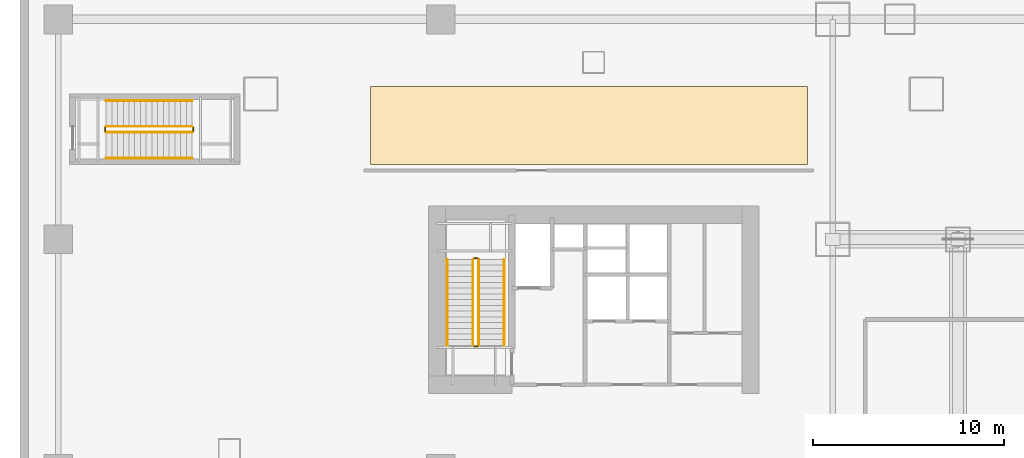
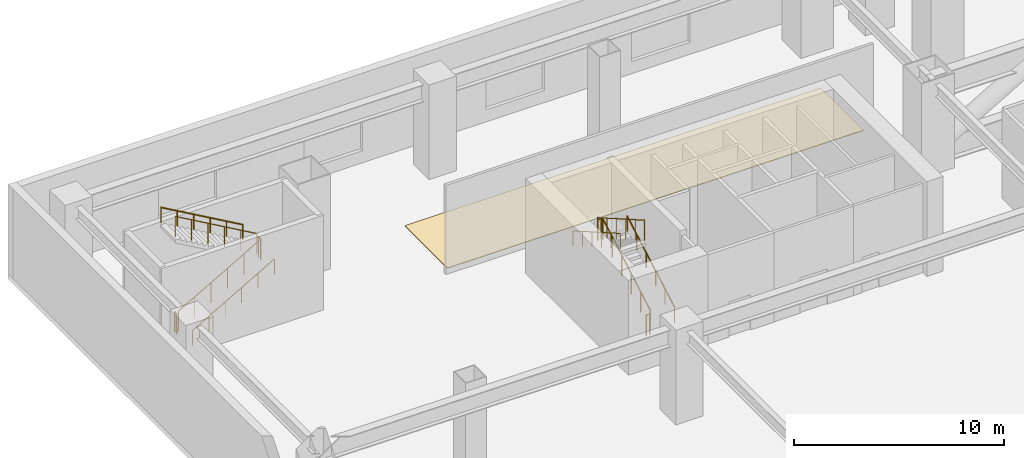
# One storey, part 32 of 34: 12 railings, 1 covering.
"""IFC4 building model written with IfcOpenShell, lengths in metres."""

from ifc_helpers import new_model, si_unit, direction, frame, origin, origin_2d, place, context, subcontext, project, spatial, polyline, circle, outline, extrude, material, layer, layer_set, type_object, element, save


model = new_model("IFC4")

# Units and contexts
model_context = context("Model", 3, precision=1e-05, world=origin(), true_north=direction((0.0, 1.0)))
body_context = subcontext(model_context, "Body", "Model", "MODEL_VIEW")
ifc_project = project(units=[si_unit("LENGTHUNIT", "METRE"), si_unit("AREAUNIT", "SQUARE_METRE"), si_unit("VOLUMEUNIT", "CUBIC_METRE"), si_unit("PLANEANGLEUNIT", "RADIAN"), si_unit("MASSUNIT", "GRAM", prefix="KILO")], contexts=[model_context])

# Site, building, storey
site_placement = place(None, origin())
site = spatial("IfcSite", under=ifc_project, at=site_placement, CompositionType="ELEMENT")
building_placement = place(site_placement, origin())
building = spatial("IfcBuilding", under=site, at=building_placement, Name="Qiaolan Cultural Towers", CompositionType="ELEMENT")
storey_placement = place(building_placement, frame((0.0, 0.0, 16.5)))
storey = spatial("IfcBuildingStorey", under=building, at=storey_placement, Name="L03", CompositionType="ELEMENT", Elevation=16.5)

# Covering
ifc_material_1 = material(Name="Honed Terrazzo & Raised Access Flooring", Category="concrete")
ifc_layer = layer(ifc_material_1, 0.0400390625)
ifc_layer_set = layer_set([ifc_layer], Name="Honed Terrazzo & Raised Access Flooring")
covering_type = type_object("IfcCoveringType", Name="COV-FLR-STONE", PredefinedType="FLOORING", material=ifc_layer_set)
covering_placement = place(storey_placement, origin())
element("IfcCovering", 1, at=covering_placement, inside=storey, type_object=covering_type, Name="L03 L03 North Design Archive Gallery Finish Flooring", PredefinedType="FLOORING", context=body_context, shape_type="SweptSolid", body=[
    extrude(outline(polyline([(41.179931640625, 57.919921875), (41.179931640625, 61.97998046875), (18.320068359375, 61.97998046875), (18.320068359375, 57.919921875), (41.179931640625, 57.919921875)])), origin(), (0.0, 0.0, 1.0), 0.0400390625),
])

# Railings
ifc_material_2 = material(Name="Galvanized Painted Steel Stair Guardrail", Category="steel")
railing_type_1 = type_object("IfcRailingType", Name="RL-STAIR-GRD", PredefinedType="GUARDRAIL", material=ifc_material_2)
railing_1_placement = place(storey_placement, frame((23.989990234375, 48.449951171875, 0.171875)))
element("IfcRailing", 2, at=railing_1_placement, inside=storey, type_object=railing_type_1, Name="L03 ST-W2 stair guard 1", PredefinedType="GUARDRAIL", context=body_context, shape_type="SweptSolid", body=[
    extrude(circle(Radius=0.02392578125, at=origin_2d()), frame((0.0, 0.0, 1.17578125), z_axis=(0.0, 0.867686387293, 0.49711199272), x_axis=(-1.0, 0.0, 0.0)), (0.0, 0.0, 1.0), 5.186279296875),
    extrude(circle(Radius=0.02099609375, at=origin_2d()), origin(), (0.0, 0.0, 1.0), 1.15185546875),
    extrude(circle(Radius=0.02099609375, at=origin_2d()), frame((0.0, 0.89990234375, 0.515625)), (0.0, 0.0, 1.0), 1.15185546875),
    extrude(circle(Radius=0.02099609375, at=origin_2d()), frame((0.0, 1.800048828125, 1.03125)), (0.0, 0.0, 1.0), 1.15185546875),
    extrude(circle(Radius=0.02099609375, at=origin_2d()), frame((0.0, 2.699951171875, 1.546875)), (0.0, 0.0, 1.0), 1.15185546875),
    extrude(circle(Radius=0.02099609375, at=origin_2d()), frame((0.0, 3.60009765625, 2.0625)), (0.0, 0.0, 1.0), 1.15185546875),
    extrude(circle(Radius=0.02099609375, at=origin_2d()), frame((0.0, 4.5, 2.578125)), (0.0, 0.0, 1.0), 1.15185546875),
])
railing_2_placement = place(storey_placement, frame((23.93994140625, 53.0, 2.75)))
element("IfcRailing", 3, at=railing_2_placement, inside=storey, type_object=railing_type_1, Name="L03 ST-W2 stair guard 2", PredefinedType="GUARDRAIL", context=body_context, shape_type="SweptSolid", body=[
    extrude(circle(Radius=0.02392578125, at=origin_2d()), frame((0.0, 0.0, 1.17578125), z_axis=(-1.0, 0.0, 0.0), x_axis=(0.0, -1.0, 0.0)), (0.0, 0.0, 1.0), 0.199951171875),
    extrude(circle(Radius=0.02099609375, at=origin_2d()), origin(), (0.0, 0.0, 1.0), 1.15185546875),
    extrude(circle(Radius=0.02099609375, at=origin_2d()), frame((-0.199951171875, 0.0, 0.0)), (0.0, 0.0, 1.0), 1.15185546875),
])
railing_3_placement = place(storey_placement, frame((23.68994140625, 52.949951171875, 2.921875)))
element("IfcRailing", 4, at=railing_3_placement, inside=storey, type_object=railing_type_1, Name="L03 ST-W2 stair guard 3", PredefinedType="GUARDRAIL", context=body_context, shape_type="SweptSolid", body=[
    extrude(circle(Radius=0.02392578125, at=origin_2d()), frame((0.0, 0.0, 1.17578125), z_axis=(0.0, -0.867686387293, 0.49711199272), x_axis=(1.0, 0.0, 0.0)), (0.0, 0.0, 1.0), 5.186279296875),
    extrude(circle(Radius=0.02099609375, at=origin_2d()), origin(), (0.0, 0.0, 1.0), 1.15185546875),
    extrude(circle(Radius=0.02099609375, at=origin_2d()), frame((0.0, -0.89990234375, 0.515625)), (0.0, 0.0, 1.0), 1.15185546875),
    extrude(circle(Radius=0.02099609375, at=origin_2d()), frame((0.0, -1.800048828125, 1.03125)), (0.0, 0.0, 1.0), 1.15185546875),
    extrude(circle(Radius=0.02099609375, at=origin_2d()), frame((0.0, -2.699951171875, 1.546875)), (0.0, 0.0, 1.0), 1.15185546875),
    extrude(circle(Radius=0.02099609375, at=origin_2d()), frame((0.0, -3.60009765625, 2.0625)), (0.0, 0.0, 1.0), 1.15185546875),
    extrude(circle(Radius=0.02099609375, at=origin_2d()), frame((0.0, -4.5, 2.578125)), (0.0, 0.0, 1.0), 1.15185546875),
])
railing_4_placement = place(storey_placement, frame((23.93994140625, 48.39990234375, 0.0)))
element("IfcRailing", 5, at=railing_4_placement, inside=storey, type_object=railing_type_1, Name="L03 ST-W2 stair guard 4", PredefinedType="GUARDRAIL", context=body_context, shape_type="SweptSolid", body=[
    extrude(circle(Radius=0.02392578125, at=origin_2d()), frame((0.0, 0.0, 1.17578125), z_axis=(-1.0, 0.0, 0.0), x_axis=(0.0, -1.0, 0.0)), (0.0, 0.0, 1.0), 0.199951171875),
    extrude(circle(Radius=0.02099609375, at=origin_2d()), origin(), (0.0, 0.0, 1.0), 1.15185546875),
    extrude(circle(Radius=0.02099609375, at=origin_2d()), frame((-0.199951171875, 0.0, 0.0)), (0.0, 0.0, 1.0), 1.15185546875),
])
railing_5_placement = place(storey_placement, frame((4.5, 59.60009765625, 0.171875)))
element("IfcRailing", 6, at=railing_5_placement, inside=storey, type_object=railing_type_1, Name="L03 ST-P1 stair guard 1", PredefinedType="GUARDRAIL", context=body_context, shape_type="SweptSolid", body=[
    extrude(circle(Radius=0.02392578125, at=origin_2d()), frame((0.0, 0.0, 1.17578125), z_axis=(0.867686387293, 0.0, 0.49711199272), x_axis=(0.0, 1.0, 0.0)), (0.0, 0.0, 1.0), 5.186279296875),
    extrude(circle(Radius=0.02099609375, at=origin_2d()), origin(), (0.0, 0.0, 1.0), 1.15185546875),
    extrude(circle(Radius=0.02099609375, at=origin_2d()), frame((0.89990234375, 0.0, 0.515625)), (0.0, 0.0, 1.0), 1.15185546875),
    extrude(circle(Radius=0.02099609375, at=origin_2d()), frame((1.800048828125, 0.0, 1.03125)), (0.0, 0.0, 1.0), 1.15185546875),
    extrude(circle(Radius=0.02099609375, at=origin_2d()), frame((2.699951171875, 0.0, 1.546875)), (0.0, 0.0, 1.0), 1.15185546875),
    extrude(circle(Radius=0.02099609375, at=origin_2d()), frame((3.60009765625, 0.0, 2.0625)), (0.0, 0.0, 1.0), 1.15185546875),
    extrude(circle(Radius=0.02099609375, at=origin_2d()), frame((4.5, 0.0, 2.578125)), (0.0, 0.0, 1.0), 1.15185546875),
])
railing_6_placement = place(storey_placement, frame((9.050048828125, 59.64990234375, 2.75)))
element("IfcRailing", 7, at=railing_6_placement, inside=storey, type_object=railing_type_1, Name="L03 ST-P1 stair guard 2", PredefinedType="GUARDRAIL", context=body_context, shape_type="SweptSolid", body=[
    extrude(circle(Radius=0.02392578125, at=origin_2d()), frame((0.0, 0.0, 1.17578125), z_axis=(0.0, 1.0, 0.0), x_axis=(-1.0, 0.0, 0.0)), (0.0, 0.0, 1.0), 0.2001953125),
    extrude(circle(Radius=0.02099609375, at=origin_2d()), origin(), (0.0, 0.0, 1.0), 1.15185546875),
    extrude(circle(Radius=0.02099609375, at=origin_2d()), frame((0.0, 0.2001953125, 0.0)), (0.0, 0.0, 1.0), 1.15185546875),
])
railing_7_placement = place(storey_placement, frame((9.0, 59.89990234375, 2.921875)))
element("IfcRailing", 8, at=railing_7_placement, inside=storey, type_object=railing_type_1, Name="L03 ST-P1 stair guard 3", PredefinedType="GUARDRAIL", context=body_context, shape_type="SweptSolid", body=[
    extrude(circle(Radius=0.02392578125, at=origin_2d()), frame((0.0, 0.0, 1.17578125), z_axis=(-0.867686387293, 0.0, 0.49711199272), x_axis=(0.0, -1.0, 0.0)), (0.0, 0.0, 1.0), 5.186279296875),
    extrude(circle(Radius=0.02099609375, at=origin_2d()), origin(), (0.0, 0.0, 1.0), 1.15185546875),
    extrude(circle(Radius=0.02099609375, at=origin_2d()), frame((-0.89990234375, 0.0, 0.515625)), (0.0, 0.0, 1.0), 1.15185546875),
    extrude(circle(Radius=0.02099609375, at=origin_2d()), frame((-1.800048828125, 0.0, 1.03125)), (0.0, 0.0, 1.0), 1.15185546875),
    extrude(circle(Radius=0.02099609375, at=origin_2d()), frame((-2.699951171875, 0.0, 1.546875)), (0.0, 0.0, 1.0), 1.15185546875),
    extrude(circle(Radius=0.02099609375, at=origin_2d()), frame((-3.60009765625, 0.0, 2.0625)), (0.0, 0.0, 1.0), 1.15185546875),
    extrude(circle(Radius=0.02099609375, at=origin_2d()), frame((-4.5, 0.0, 2.578125)), (0.0, 0.0, 1.0), 1.15185546875),
])
railing_8_placement = place(storey_placement, frame((4.449951171875, 59.64990234375, 0.0)))
element("IfcRailing", 9, at=railing_8_placement, inside=storey, type_object=railing_type_1, Name="L03 ST-P1 stair guard 4", PredefinedType="GUARDRAIL", context=body_context, shape_type="SweptSolid", body=[
    extrude(circle(Radius=0.02392578125, at=origin_2d()), frame((0.0, 0.0, 1.17578125), z_axis=(0.0, 1.0, 0.0), x_axis=(-1.0, 0.0, 0.0)), (0.0, 0.0, 1.0), 0.2001953125),
    extrude(circle(Radius=0.02099609375, at=origin_2d()), origin(), (0.0, 0.0, 1.0), 1.15185546875),
    extrude(circle(Radius=0.02099609375, at=origin_2d()), frame((0.0, 0.2001953125, 0.0)), (0.0, 0.0, 1.0), 1.15185546875),
])
ifc_material_3 = material(Name="Stainless Steel S30408 Tubular Handrail", Category="steel")
railing_type_2 = type_object("IfcRailingType", Name="RL-STAIR-HR", PredefinedType="HANDRAIL", material=ifc_material_3)
railing_9_placement = place(storey_placement, frame((25.330078125, 48.449951171875, 0.171875)))
element("IfcRailing", 10, at=railing_9_placement, inside=storey, type_object=railing_type_2, Name="L03 ST-W2 stair handrail 1", PredefinedType="HANDRAIL", context=body_context, shape_type="SweptSolid", body=[
    extrude(circle(Radius=0.02392578125, at=origin_2d()), frame((0.0, 0.0, 0.8759765625), z_axis=(0.0, 0.867686387293, 0.49711199272), x_axis=(-1.0, 0.0, 0.0)), (0.0, 0.0, 1.0), 5.186279296875),
    extrude(circle(Radius=0.02099609375, at=origin_2d()), origin(), (0.0, 0.0, 1.0), 0.851806640625),
    extrude(circle(Radius=0.02099609375, at=origin_2d()), frame((0.0, 0.89990234375, 0.515625)), (0.0, 0.0, 1.0), 0.851806640625),
    extrude(circle(Radius=0.02099609375, at=origin_2d()), frame((0.0, 1.800048828125, 1.03125)), (0.0, 0.0, 1.0), 0.851806640625),
    extrude(circle(Radius=0.02099609375, at=origin_2d()), frame((0.0, 2.699951171875, 1.546875)), (0.0, 0.0, 1.0), 0.851806640625),
    extrude(circle(Radius=0.02099609375, at=origin_2d()), frame((0.0, 3.60009765625, 2.0625)), (0.0, 0.0, 1.0), 0.851806640625),
    extrude(circle(Radius=0.02099609375, at=origin_2d()), frame((0.0, 4.5, 2.578125)), (0.0, 0.0, 1.0), 0.851806640625),
])
railing_10_placement = place(storey_placement, frame((22.35009765625, 52.949951171875, 2.921875)))
element("IfcRailing", 11, at=railing_10_placement, inside=storey, type_object=railing_type_2, Name="L03 ST-W2 stair handrail 2", PredefinedType="HANDRAIL", context=body_context, shape_type="SweptSolid", body=[
    extrude(circle(Radius=0.02392578125, at=origin_2d()), frame((0.0, 0.0, 0.8759765625), z_axis=(0.0, -0.867686387293, 0.49711199272), x_axis=(1.0, 0.0, 0.0)), (0.0, 0.0, 1.0), 5.186279296875),
    extrude(circle(Radius=0.02099609375, at=origin_2d()), origin(), (0.0, 0.0, 1.0), 0.851806640625),
    extrude(circle(Radius=0.02099609375, at=origin_2d()), frame((0.0, -0.89990234375, 0.515625)), (0.0, 0.0, 1.0), 0.851806640625),
    extrude(circle(Radius=0.02099609375, at=origin_2d()), frame((0.0, -1.800048828125, 1.03125)), (0.0, 0.0, 1.0), 0.851806640625),
    extrude(circle(Radius=0.02099609375, at=origin_2d()), frame((0.0, -2.699951171875, 1.546875)), (0.0, 0.0, 1.0), 0.851806640625),
    extrude(circle(Radius=0.02099609375, at=origin_2d()), frame((0.0, -3.60009765625, 2.0625)), (0.0, 0.0, 1.0), 0.851806640625),
    extrude(circle(Radius=0.02099609375, at=origin_2d()), frame((0.0, -4.5, 2.578125)), (0.0, 0.0, 1.0), 0.851806640625),
])
railing_11_placement = place(storey_placement, frame((4.5, 58.25, 0.171875)))
element("IfcRailing", 12, at=railing_11_placement, inside=storey, type_object=railing_type_2, Name="L03 ST-P1 stair handrail 1", PredefinedType="HANDRAIL", context=body_context, shape_type="SweptSolid", body=[
    extrude(circle(Radius=0.02392578125, at=origin_2d()), frame((0.0, 0.0, 0.8759765625), z_axis=(0.867686387293, 0.0, 0.49711199272), x_axis=(0.0, 1.0, 0.0)), (0.0, 0.0, 1.0), 5.186279296875),
    extrude(circle(Radius=0.02099609375, at=origin_2d()), origin(), (0.0, 0.0, 1.0), 0.851806640625),
    extrude(circle(Radius=0.02099609375, at=origin_2d()), frame((0.89990234375, 0.0, 0.515625)), (0.0, 0.0, 1.0), 0.851806640625),
    extrude(circle(Radius=0.02099609375, at=origin_2d()), frame((1.800048828125, 0.0, 1.03125)), (0.0, 0.0, 1.0), 0.851806640625),
    extrude(circle(Radius=0.02099609375, at=origin_2d()), frame((2.699951171875, 0.0, 1.546875)), (0.0, 0.0, 1.0), 0.851806640625),
    extrude(circle(Radius=0.02099609375, at=origin_2d()), frame((3.60009765625, 0.0, 2.0625)), (0.0, 0.0, 1.0), 0.851806640625),
    extrude(circle(Radius=0.02099609375, at=origin_2d()), frame((4.5, 0.0, 2.578125)), (0.0, 0.0, 1.0), 0.851806640625),
])
railing_12_placement = place(storey_placement, frame((9.0, 61.25, 2.921875)))
element("IfcRailing", 13, at=railing_12_placement, inside=storey, type_object=railing_type_2, Name="L03 ST-P1 stair handrail 2", PredefinedType="HANDRAIL", context=body_context, shape_type="SweptSolid", body=[
    extrude(circle(Radius=0.02392578125, at=origin_2d()), frame((0.0, 0.0, 0.8759765625), z_axis=(-0.867686387293, 0.0, 0.49711199272), x_axis=(0.0, -1.0, 0.0)), (0.0, 0.0, 1.0), 5.186279296875),
    extrude(circle(Radius=0.02099609375, at=origin_2d()), origin(), (0.0, 0.0, 1.0), 0.851806640625),
    extrude(circle(Radius=0.02099609375, at=origin_2d()), frame((-0.89990234375, 0.0, 0.515625)), (0.0, 0.0, 1.0), 0.851806640625),
    extrude(circle(Radius=0.02099609375, at=origin_2d()), frame((-1.800048828125, 0.0, 1.03125)), (0.0, 0.0, 1.0), 0.851806640625),
    extrude(circle(Radius=0.02099609375, at=origin_2d()), frame((-2.699951171875, 0.0, 1.546875)), (0.0, 0.0, 1.0), 0.851806640625),
    extrude(circle(Radius=0.02099609375, at=origin_2d()), frame((-3.60009765625, 0.0, 2.0625)), (0.0, 0.0, 1.0), 0.851806640625),
    extrude(circle(Radius=0.02099609375, at=origin_2d()), frame((-4.5, 0.0, 2.578125)), (0.0, 0.0, 1.0), 0.851806640625),
])

save(model, "model.ifc")
